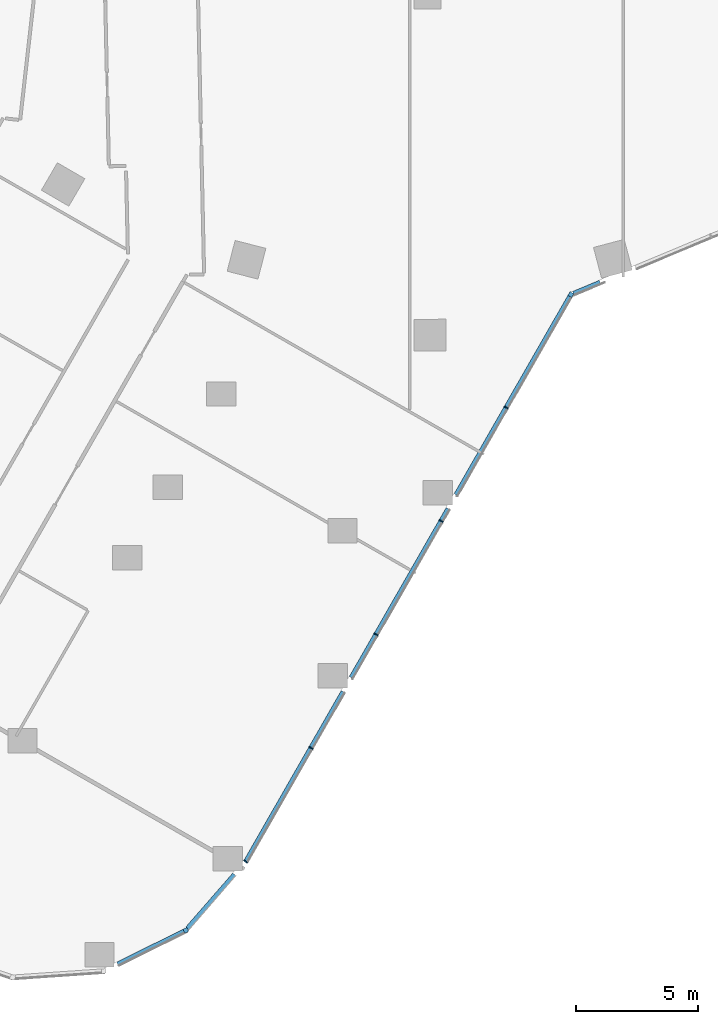
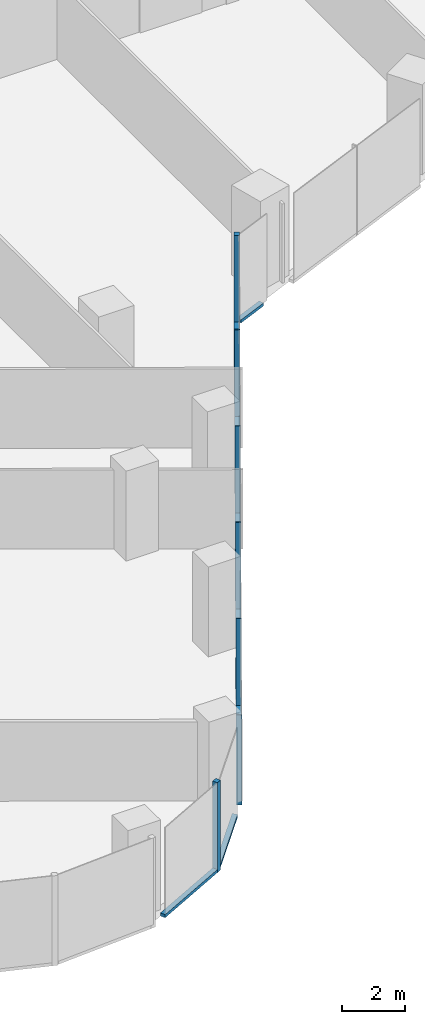
# One storey, part 5 of 34: 13 members, 4 elements without a shape of their own.
"""IFC4 building model written with IfcOpenShell, lengths in metres."""

from ifc_helpers import new_model, si_unit, direction, frame, origin, origin_2d, place, context, subcontext, project, spatial, rectangle, extrude, material, material_profile, profile_set, type_object, element, aggregate, save


model = new_model("IFC4")

# Units and contexts
model_context = context("Model", 3, precision=1e-05, world=origin(), true_north=direction((0.0, 1.0)))
body_context = subcontext(model_context, "Body", "Model", "MODEL_VIEW")
ifc_project = project(units=[si_unit("LENGTHUNIT", "METRE"), si_unit("AREAUNIT", "SQUARE_METRE"), si_unit("VOLUMEUNIT", "CUBIC_METRE"), si_unit("PLANEANGLEUNIT", "RADIAN"), si_unit("MASSUNIT", "GRAM", prefix="KILO")], contexts=[model_context])

# Site, building, storey
site_placement = place(None, origin())
site = spatial("IfcSite", under=ifc_project, at=site_placement, CompositionType="ELEMENT")
building_placement = place(site_placement, origin())
building = spatial("IfcBuilding", under=site, at=building_placement, Name="Orlundy Tower", CompositionType="ELEMENT")
storey_placement = place(building_placement, frame((0.0, 0.0, 112.699951171875)))
storey = spatial("IfcBuildingStorey", under=building, at=storey_placement, Name="L28", CompositionType="ELEMENT", Elevation=112.699951171875)

# Curtain wall, member
ifc_material_1 = material(Name="Aluminium bronze anodised", Category="aluminium")
curtain_wall_type = type_object("IfcCurtainWallType", Name="CW1 wall", PredefinedType="NOTDEFINED", material=ifc_material_1)
curtain_wall_1_placement = place(storey_placement, origin())
curtain_wall_1 = element("IfcCurtainWall", 1, at=curtain_wall_1_placement, inside=storey, type_object=curtain_wall_type, Name="CW1 run 02", PredefinedType="NOTDEFINED")
ifc_material_2 = material(Name="Aluminium bronze anodised", Category="aluminium")
ifc_material_profile_1 = material_profile(ifc_material_2, rectangle(XDim=0.179931640625, YDim=0.179931640625, at=origin_2d()), Name="CW1 corner post 180x180")
ifc_profile_set_1 = profile_set([ifc_material_profile_1], Name="Aluminium bronze anodised")
member_type_1 = type_object("IfcMemberType", Name="CW1 corner post 180x180", PredefinedType="MULLION", material=ifc_profile_set_1)
member_1_placement = place(storey_placement, frame((5.86279296875, -30.16015625, -0.39990234375), z_axis=(0.0, 0.0, 1.0), x_axis=(0.867479299789, -0.497473280125, 0.0)))
member_1 = element("IfcMember", 2, at=member_1_placement, type_object=member_type_1, Name="CW1 mullion 9", PredefinedType="MULLION", context=body_context, shape_type="SweptSolid", body=[
    extrude(rectangle(XDim=0.179931640625, YDim=0.179931640625, at=origin_2d()), origin(), (0.0, 0.0, 1.0), 3.5),
])

curtain_wall_2_placement = place(storey_placement, origin())
curtain_wall_2 = element("IfcCurtainWall", 3, at=curtain_wall_2_placement, inside=storey, type_object=curtain_wall_type, Name="CW1 run 04", PredefinedType="NOTDEFINED")
member_2_placement = place(storey_placement, frame((-9.90380859375, -56.189697265625, -0.39990234375), z_axis=(0.0, 0.0, 1.0), x_axis=(0.444838111689, -0.895610995013, 0.0)))
member_2 = element("IfcMember", 4, at=member_2_placement, type_object=member_type_1, Name="CW1 mullion 15", PredefinedType="MULLION", context=body_context, shape_type="SweptSolid", body=[
    extrude(rectangle(XDim=0.179931640625, YDim=0.179931640625, at=origin_2d()), origin(), (0.0, 0.0, 1.0), 3.5),
])

# Member
ifc_material_3 = material(Name="Aluminium bronze anodised", Category="aluminium")
ifc_material_profile_2 = material_profile(ifc_material_3, rectangle(XDim=0.179931640625, YDim=0.050048828125, at=origin_2d()), Name="CW1 mullion 50x180")
ifc_profile_set_2 = profile_set([ifc_material_profile_2], Name="Aluminium bronze anodised")
member_type_2 = type_object("IfcMemberType", Name="CW1 mullion 50x180", PredefinedType="MULLION", material=ifc_profile_set_2)
member_3_placement = place(storey_placement, frame((3.21337890625, -34.780517578125, -0.39990234375), z_axis=(0.0, 0.0, 1.0), x_axis=(0.867479299789, -0.497473280125, 0.0)))
member_3 = element("IfcMember", 5, at=member_3_placement, type_object=member_type_2, Name="CW1 mullion 10", PredefinedType="MULLION", context=body_context, shape_type="SweptSolid", body=[
    extrude(rectangle(XDim=0.179931640625, YDim=0.050048828125, at=origin_2d()), origin(), (0.0, 0.0, 1.0), 3.5),
])

member_4_placement = place(storey_placement, frame((0.548583984375, -39.427490234375, -0.39990234375), z_axis=(0.0, 0.0, 1.0), x_axis=(0.867479299789, -0.497473280125, 0.0)))
member_4 = element("IfcMember", 6, at=member_4_placement, type_object=member_type_2, Name="CW1 mullion 11", PredefinedType="MULLION", context=body_context, shape_type="SweptSolid", body=[
    extrude(rectangle(XDim=0.179931640625, YDim=0.050048828125, at=origin_2d()), origin(), (0.0, 0.0, 1.0), 3.5),
])

member_5_placement = place(storey_placement, frame((-2.1162109375, -44.07421875, -0.39990234375), z_axis=(0.0, 0.0, 1.0), x_axis=(0.867479299789, -0.497473280125, 0.0)))
member_5 = element("IfcMember", 7, at=member_5_placement, type_object=member_type_2, Name="CW1 mullion 12", PredefinedType="MULLION", context=body_context, shape_type="SweptSolid", body=[
    extrude(rectangle(XDim=0.179931640625, YDim=0.050048828125, at=origin_2d()), origin(), (0.0, 0.0, 1.0), 3.5),
])

member_6_placement = place(storey_placement, frame((-4.781005859375, -48.720947265625, -0.39990234375), z_axis=(0.0, 0.0, 1.0), x_axis=(0.867479299789, -0.497473280125, 0.0)))
member_6 = element("IfcMember", 8, at=member_6_placement, type_object=member_type_2, Name="CW1 mullion 13", PredefinedType="MULLION", context=body_context, shape_type="SweptSolid", body=[
    extrude(rectangle(XDim=0.179931640625, YDim=0.050048828125, at=origin_2d()), origin(), (0.0, 0.0, 1.0), 3.5),
])

# Curtain wall, member
curtain_wall_3_placement = place(storey_placement, origin())
curtain_wall_3 = element("IfcCurtainWall", 9, at=curtain_wall_3_placement, inside=storey, type_object=curtain_wall_type, Name="CW1 run 03", PredefinedType="NOTDEFINED")
member_7_placement = place(storey_placement, frame((-7.450439453125, -53.37548828125, -0.39990234375), z_axis=(0.0, 0.0, 1.0), x_axis=(0.814535332727, -0.580113947202, 0.0)))
member_7 = element("IfcMember", 10, at=member_7_placement, type_object=member_type_2, Name="CW1 mullion 14", PredefinedType="MULLION", context=body_context, shape_type="SweptSolid", body=[
    extrude(rectangle(XDim=0.179931640625, YDim=0.050048828125, at=origin_2d()), origin(), (0.0, 0.0, 1.0), 3.5),
])

curtain_wall_4_placement = place(storey_placement, origin())
curtain_wall_4 = element("IfcCurtainWall", 11, at=curtain_wall_4_placement, inside=storey, type_object=curtain_wall_type, Name="CW1 run 01", PredefinedType="NOTDEFINED")
ifc_material_4 = material(Name="Aluminium bronze anodised", Category="aluminium")
ifc_material_profile_3 = material_profile(ifc_material_4, rectangle(XDim=0.179931640625, YDim=0.1201171875, at=origin_2d()), Name="CW1 transom 180x120")
ifc_profile_set_3 = profile_set([ifc_material_profile_3], Name="Aluminium bronze anodised")
member_type_3 = type_object("IfcMemberType", Name="CW1 transom 180x120", PredefinedType="USERDEFINED", material=ifc_profile_set_3)
member_8_placement = place(storey_placement, frame((7.062255859375, -29.659423828125, -0.33984375), z_axis=(-0.922808793356, -0.385258265201, 0.0), x_axis=(0.385258265201, -0.922808793356, 0.0)))
member_8 = element("IfcMember", 12, at=member_8_placement, type_object=member_type_3, Name="CW1 transom", ObjectType="TRANSOM", PredefinedType="USERDEFINED", context=body_context, shape_type="SweptSolid", body=[
    extrude(rectangle(XDim=0.179931640625, YDim=0.1201171875, at=origin_2d()), origin(), (0.0, 0.0, 1.0), 1.186279296875),
])
aggregate(curtain_wall_4, [member_8])

# Member
member_9_placement = place(storey_placement, frame((5.818115234375, -30.23828125, -0.33984375), z_axis=(-0.497467087282, -0.867482851169, 0.0), x_axis=(0.867482851169, -0.497467087282, 0.0)))
member_9 = element("IfcMember", 13, at=member_9_placement, type_object=member_type_3, Name="CW1 transom", ObjectType="TRANSOM", PredefinedType="USERDEFINED", context=body_context, shape_type="SweptSolid", body=[
    extrude(rectangle(XDim=0.179931640625, YDim=0.1201171875, at=origin_2d()), origin(), (0.0, 0.0, 1.0), 9.359375),
])

member_10_placement = place(storey_placement, frame((0.8349609375, -38.927978515625, -0.33984375), z_axis=(-0.497493149582, -0.86746790495, 0.0), x_axis=(0.86746790495, -0.497493149582, 0.0)))
member_10 = element("IfcMember", 14, at=member_10_placement, type_object=member_type_3, Name="CW1 transom", ObjectType="TRANSOM", PredefinedType="USERDEFINED", context=body_context, shape_type="SweptSolid", body=[
    extrude(rectangle(XDim=0.179931640625, YDim=0.1201171875, at=origin_2d()), origin(), (0.0, 0.0, 1.0), 7.97607421875),
])

member_11_placement = place(storey_placement, frame((-3.4599609375, -46.4169921875, -0.33984375), z_axis=(-0.497452550995, -0.867491186992, 0.0), x_axis=(0.867491186992, -0.497452550995, 0.0)))
member_11 = element("IfcMember", 15, at=member_11_placement, type_object=member_type_3, Name="CW1 transom", ObjectType="TRANSOM", PredefinedType="USERDEFINED", context=body_context, shape_type="SweptSolid", body=[
    extrude(rectangle(XDim=0.179931640625, YDim=0.1201171875, at=origin_2d()), origin(), (0.0, 0.0, 1.0), 7.982666015625),
])

aggregate(curtain_wall_1, [member_1, member_3, member_4, member_5, member_6, member_9, member_10, member_11])

member_12_placement = place(storey_placement, frame((-7.9111328125, -53.904052734375, -0.33984375), z_axis=(-0.657166709107, -0.753745259648, 0.0), x_axis=(0.753745259648, -0.657166709107, 0.0)))
member_12 = element("IfcMember", 16, at=member_12_placement, type_object=member_type_3, Name="CW1 transom", ObjectType="TRANSOM", PredefinedType="USERDEFINED", context=body_context, shape_type="SweptSolid", body=[
    extrude(rectangle(XDim=0.179931640625, YDim=0.1201171875, at=origin_2d()), origin(), (0.0, 0.0, 1.0), 2.934814453125),
])

aggregate(curtain_wall_3, [member_7, member_12])

member_13_placement = place(storey_placement, frame((-9.984619140625, -56.229736328125, -0.33984375), z_axis=(-0.895605373213, -0.444849430113, 0.0), x_axis=(0.444849430113, -0.895605373213, 0.0)))
member_13 = element("IfcMember", 17, at=member_13_placement, type_object=member_type_3, Name="CW1 transom", ObjectType="TRANSOM", PredefinedType="USERDEFINED", context=body_context, shape_type="SweptSolid", body=[
    extrude(rectangle(XDim=0.179931640625, YDim=0.1201171875, at=origin_2d()), origin(), (0.0, 0.0, 1.0), 3.017333984375),
])

aggregate(curtain_wall_2, [member_2, member_13])

save(model, "model.ifc")
